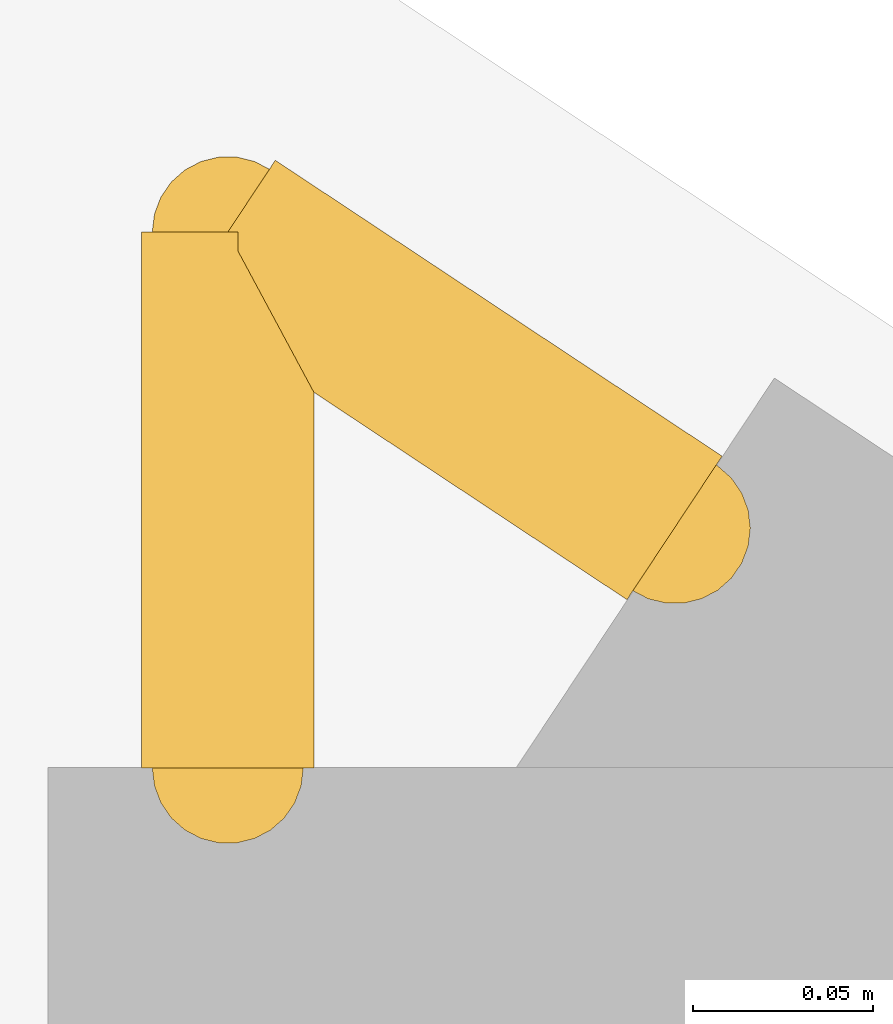
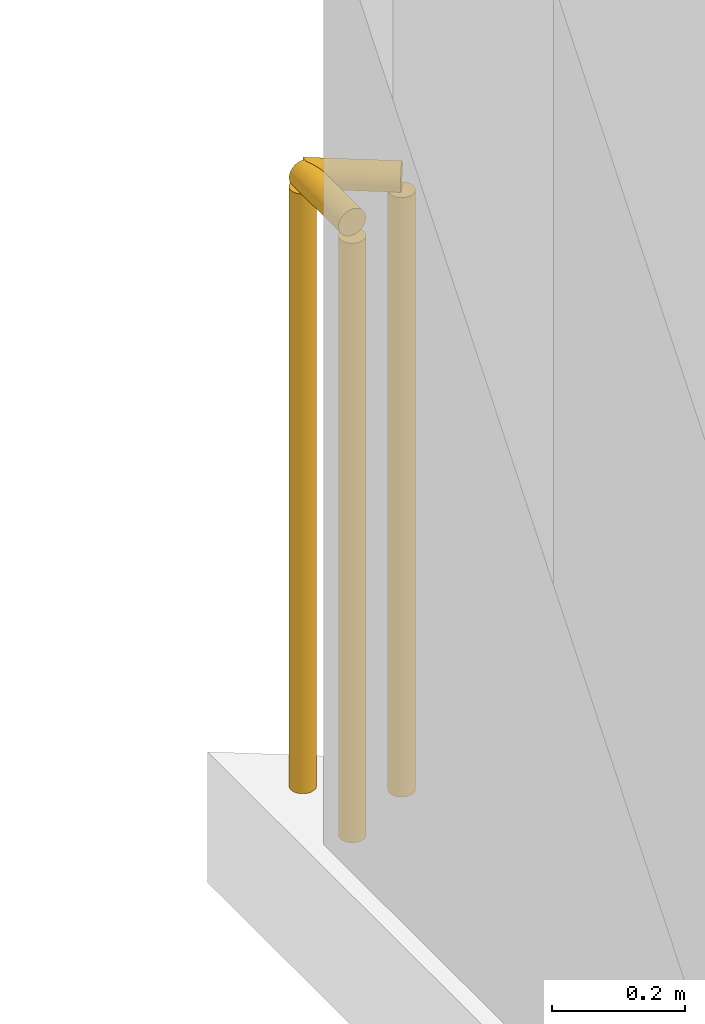
# One storey, part 16 of 17: 2 railings.
"""IFC4 building model written with IfcOpenShell, lengths in metres."""

import ifcopenshell
import ifcopenshell.guid

model = None  # the IFC model being written
_history = None  # IfcOwnerHistory: only IFC2X3 demands one
_inside = {}  # id of a spatial element -> (the spatial element, [elements in it])
_under = {}  # id of a project, library or spatial element -> (it, [spatial elements below it])
_declared = {}  # id of a project -> (the project, [libraries it declares])
_typed = {}  # id of a type object -> (the type object, [elements of that type])
_made_of = {}  # id of a material, layer set ... -> (it, [elements and type objects made of it])


def new_model(schema):
    """Start an empty IFC model of exactly this schema.

    Asked for "IFC4X3", IfcOpenShell would pick the latest addendum, in which some entities
    have other attributes; the version numbers below select the first issue.
    IFC2X3 requires an IfcOwnerHistory on every rooted entity: one is made here for all.
    """
    global model, _history
    if schema == "IFC4X3":
        model = ifcopenshell.file(schema_version=(4, 3, 0, 0))
    else:
        model = ifcopenshell.file(schema=schema)
    _inside.clear()
    _under.clear()
    _declared.clear()
    _typed.clear()
    _made_of.clear()
    _history = None
    if model.schema == "IFC2X3":
        org = make("IfcOrganization", Name="unknown")
        user = make(
            "IfcPersonAndOrganization",
            ThePerson=make("IfcPerson", FamilyName="unknown"),
            TheOrganization=org,
        )
        app = make(
            "IfcApplication",
            ApplicationDeveloper=org,
            Version="unknown",
            ApplicationFullName="unknown",
            ApplicationIdentifier="unknown",
        )
        _history = make(
            "IfcOwnerHistory",
            OwningUser=user,
            OwningApplication=app,
            ChangeAction="ADDED",
            CreationDate=0,
        )
    return model


def make(cls, **values):
    """One entity of the class cls with the attributes given. An attribute that is None is left unset."""
    return model.create_entity(
        cls, **{name: value for name, value in values.items() if value is not None}
    )


def rooted(cls, **values):
    """An entity with a GlobalId (a new one), such as an element, a storey or a relation."""
    return make(cls, GlobalId=ifcopenshell.guid.new(), OwnerHistory=_history, **values)


def si_unit(unit_type, name, prefix=None):
    """IfcSIUnit, for example si_unit("LENGTHUNIT", "METRE", prefix="MILLI")."""
    return make("IfcSIUnit", UnitType=unit_type, Prefix=prefix, Name=name)


def assignment(units):
    """IfcUnitAssignment: the units of a project."""
    return None if units is None else make("IfcUnitAssignment", Units=units)


def point(xyz):
    """IfcCartesianPoint."""
    return None if xyz is None else make("IfcCartesianPoint", Coordinates=xyz)


def direction(xyz):
    """IfcDirection."""
    return None if xyz is None else make("IfcDirection", DirectionRatios=xyz)


def frame(location, z_axis=None, x_axis=None):
    """IfcAxis2Placement3D, a coordinate frame: its origin and axes. An axis left out is left unset."""
    return make(
        "IfcAxis2Placement3D",
        Location=point(location),
        Axis=direction(z_axis),
        RefDirection=direction(x_axis),
    )


def frame_2d(location, x_axis=None):
    """IfcAxis2Placement2D, a coordinate frame in the plane: its origin and x axis."""
    return make(
        "IfcAxis2Placement2D", Location=point(location), RefDirection=direction(x_axis)
    )


def origin():
    """The frame at (0, 0, 0) with its axes left unset."""
    return frame((0.0, 0.0, 0.0))


def origin_2d():
    """The frame at (0, 0) in the plane with its x axis left unset."""
    return frame_2d((0.0, 0.0))


def place(relative_to, where):
    """IfcLocalPlacement: puts the frame where relative to a parent placement (None: the world)."""
    return make(
        "IfcLocalPlacement", PlacementRelTo=relative_to, RelativePlacement=where
    )


def context(
    kind, dimensions, precision=None, world=None, true_north=None, identifier=None
):
    """IfcGeometricRepresentationContext, for example the 3D "Model" context."""
    return make(
        "IfcGeometricRepresentationContext",
        ContextIdentifier=identifier,
        ContextType=kind,
        CoordinateSpaceDimension=dimensions,
        Precision=precision,
        WorldCoordinateSystem=world,
        TrueNorth=true_north,
    )


def subcontext(parent, identifier, kind, view, scale=None):
    """IfcGeometricRepresentationSubContext, for example "Body" below "Model"."""
    return make(
        "IfcGeometricRepresentationSubContext",
        ContextIdentifier=identifier,
        ContextType=kind,
        ParentContext=parent,
        TargetScale=scale,
        TargetView=view,
    )


def project(units=None, contexts=None):
    """IfcProject with its units and contexts."""
    return rooted(
        "IfcProject",
        Name="project",
        RepresentationContexts=contexts,
        UnitsInContext=assignment(units),
    )


def spatial(cls, under=None, at=None, **own):
    """A site, building, storey or space (cls), placed at a placement, below another one or the project."""
    s = rooted(cls, ObjectPlacement=at, **own)
    if under is not None:
        _under.setdefault(under.id(), (under, []))[1].append(s)
    return s


def profile(cls, at=None, kind="AREA", **sizes):
    """A parametric profile (cls). Its sizes go by their IFC names, for example OverallWidth=200.0."""
    return make(cls, ProfileType=kind, Position=at, **sizes)


def circle(**sizes):
    """IfcCircleProfileDef."""
    return profile("IfcCircleProfileDef", **sizes)


def extrude(swept, where, along, depth):
    """IfcExtrudedAreaSolid: the profile swept, set in the frame where, extruded along a direction by depth."""
    return make(
        "IfcExtrudedAreaSolid",
        SweptArea=swept,
        Position=where,
        ExtrudedDirection=direction(along),
        Depth=depth,
    )


def shape(context_of_items, identifier, shape_type, items):
    """IfcShapeRepresentation: the items that make up one representation, for example the "Body"."""
    return make(
        "IfcShapeRepresentation",
        ContextOfItems=context_of_items,
        RepresentationIdentifier=identifier,
        RepresentationType=shape_type,
        Items=items,
    )


def material(Name=None, Category=None):
    """IfcMaterial."""
    return make("IfcMaterial", Name=Name, Category=Category)


def made_of(thing, what):
    """Note that an element or type object is made of a material, layer set ...; save() writes the relation."""
    if what is not None:
        _made_of.setdefault(what.id(), (what, []))[1].append(thing)
    return thing


def type_object(cls, material=None, **own):
    """A type object (cls), such as IfcWallType, which elements share."""
    return made_of(rooted(cls, **own), material)


def element(
    cls,
    number,
    at=None,
    inside=None,
    cuts=None,
    type_object=None,
    material=None,
    context=None,
    identifier="Body",
    shape_type=None,
    held_by="IfcProductDefinitionShape",
    body=None,
    shapes=None,
    **own,
):
    """One element of the class cls, such as IfcWall. Its Tag is "e" and its number.

    at: its placement. inside: the storey or other place that contains it. cuts: it is an
    opening in that element (IfcRelVoidsElement). A single representation is given by context,
    identifier, shape_type and body (its items); several are given by shapes. held_by: the class
    of the entity that holds the representations. save() writes the other relations.
    """
    e = rooted(cls, Tag="e%d" % number, ObjectPlacement=at, **own)
    if body is not None:
        shapes = [shape(context, identifier, shape_type, body)]
    if shapes is not None:
        e.Representation = make(held_by, Representations=shapes)
    if inside is not None:
        _inside.setdefault(inside.id(), (inside, []))[1].append(e)
    if cuts is not None:
        rooted(
            "IfcRelVoidsElement", RelatingBuildingElement=cuts, RelatedOpeningElement=e
        )
    if type_object is not None:
        _typed.setdefault(type_object.id(), (type_object, []))[1].append(e)
    return made_of(e, material)


def aggregate(whole, parts):
    """IfcRelAggregates: a whole, such as a stair, and the parts it consists of."""
    return rooted("IfcRelAggregates", RelatingObject=whole, RelatedObjects=parts)


def save(model, path):
    """Write the relations noted so far, then the file.

    IfcRelAggregates (storeys below a building ...), IfcRelContainedInSpatialStructure (elements
    in a storey), IfcRelDefinesByType, IfcRelAssociatesMaterial and IfcRelDeclares: one each for
    every whole, place, type object, material and project.
    """
    for whole, parts in _under.values():
        aggregate(whole, parts)
    for where, things in _inside.values():
        rooted(
            "IfcRelContainedInSpatialStructure",
            RelatedElements=things,
            RelatingStructure=where,
        )
    for kind, things in _typed.values():
        rooted("IfcRelDefinesByType", RelatedObjects=things, RelatingType=kind)
    for what, things in _made_of.values():
        rooted("IfcRelAssociatesMaterial", RelatedObjects=things, RelatingMaterial=what)
    for by, libraries in _declared.values():
        rooted("IfcRelDeclares", RelatingContext=by, RelatedDefinitions=libraries)
    model.write(path)


model = new_model("IFC4")

# Units and contexts
model_context = context("Model", 3, precision=1e-05, world=origin(), true_north=direction((0.0, 1.0)))
body_context = subcontext(model_context, "Body", "Model", "MODEL_VIEW")
ifc_project = project(units=[si_unit("LENGTHUNIT", "METRE"), si_unit("AREAUNIT", "SQUARE_METRE"), si_unit("VOLUMEUNIT", "CUBIC_METRE"), si_unit("PLANEANGLEUNIT", "RADIAN"), si_unit("MASSUNIT", "GRAM", prefix="KILO")], contexts=[model_context])

# Site, building, storey
site_placement = place(None, origin())
site = spatial("IfcSite", under=ifc_project, at=site_placement, CompositionType="ELEMENT")
building_placement = place(site_placement, origin())
building = spatial("IfcBuilding", under=site, at=building_placement, Name="Varnakote Quay Hospital", CompositionType="ELEMENT")
storey_placement = place(building_placement, frame((0.0, 0.0, 127.050048828125)))
storey = spatial("IfcBuildingStorey", under=building, at=storey_placement, Name="L31", CompositionType="ELEMENT", Elevation=127.050048828125)

# Railings
ifc_material = material(Name="Anodised aluminium 6063-T6 Bronze", Category="aluminium")
railing_type = type_object("IfcRailingType", Name="RLG-EXT-GUARD-1150", PredefinedType="GUARDRAIL", material=ifc_material)
railing_1_placement = place(storey_placement, frame((2.679931640625, 43.10205078125, 0.0)))
element("IfcRailing", 1, at=railing_1_placement, inside=storey, type_object=railing_type, Name="L31 Slab Edge Perimeter Safety Guard", PredefinedType="GUARDRAIL", context=body_context, shape_type="SweptSolid", body=[
    extrude(circle(Radius=0.02392578125, at=origin_2d()), frame((0.0, 0.0, 1.1259765625), z_axis=(0.0, 1.0, 0.0), x_axis=(-1.0, 0.0, 0.0)), (0.0, 0.0, 1.0), 0.14892578125),
    extrude(circle(Radius=0.02099609375, at=origin_2d()), origin(), (0.0, 0.0, 1.0), 1.101806640625),
    extrude(circle(Radius=0.02099609375, at=origin_2d()), frame((0.0, 0.14892578125, 0.0)), (0.0, 0.0, 1.0), 1.101806640625),
])
railing_2_placement = place(storey_placement, frame((2.679931640625, 43.2509765625, 0.0)))
element("IfcRailing", 2, at=railing_2_placement, inside=storey, type_object=railing_type, Name="L31 Slab Edge Perimeter Safety Guard", PredefinedType="GUARDRAIL", context=body_context, shape_type="SweptSolid", body=[
    extrude(circle(Radius=0.02392578125, at=origin_2d()), frame((0.0, 0.0, 1.1259765625), z_axis=(0.833810230731, -0.552051174374, 0.0), x_axis=(0.552051174374, 0.833810230731, 0.0)), (0.0, 0.0, 1.0), 0.14892578125),
    extrude(circle(Radius=0.02099609375, at=origin_2d()), origin(), (0.0, 0.0, 1.0), 1.101806640625),
    extrude(circle(Radius=0.02099609375, at=origin_2d()), frame((0.124267578125, -0.082275390625, 0.0)), (0.0, 0.0, 1.0), 1.101806640625),
])

save(model, "model.ifc")
